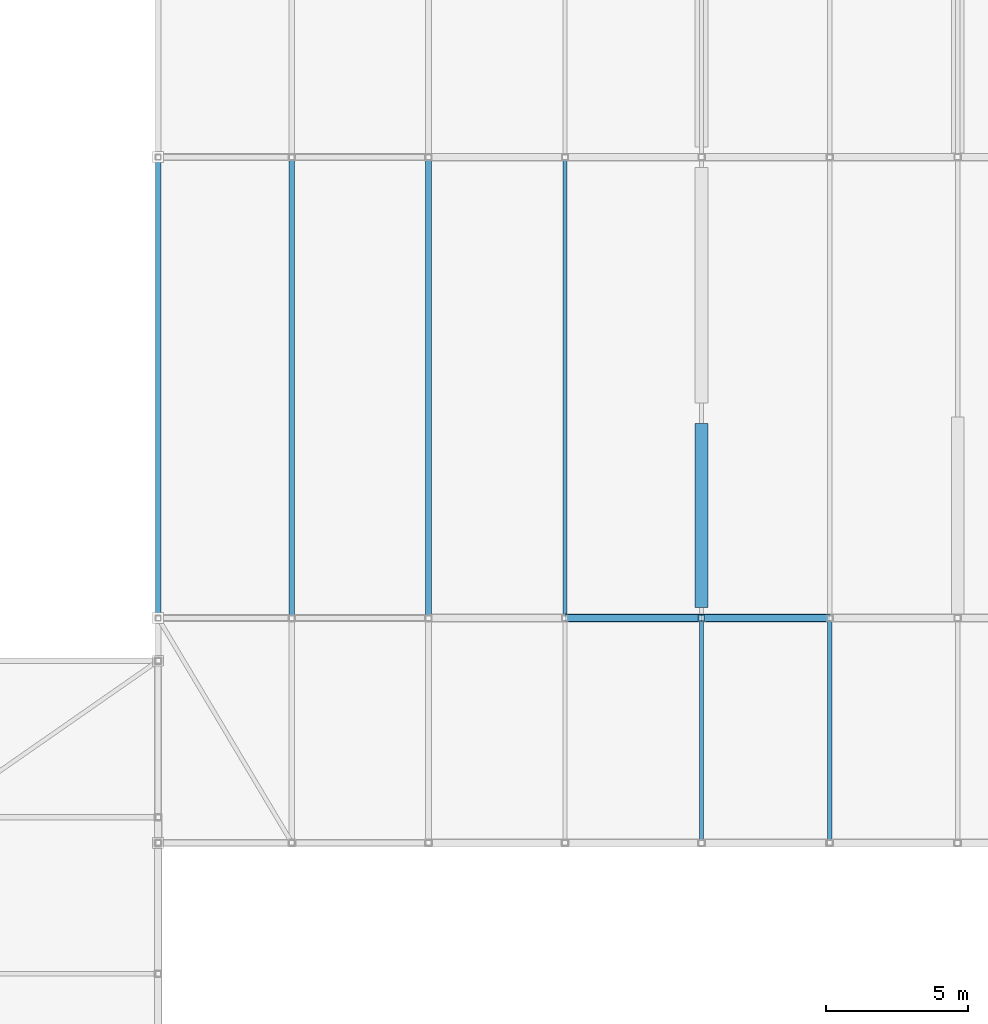
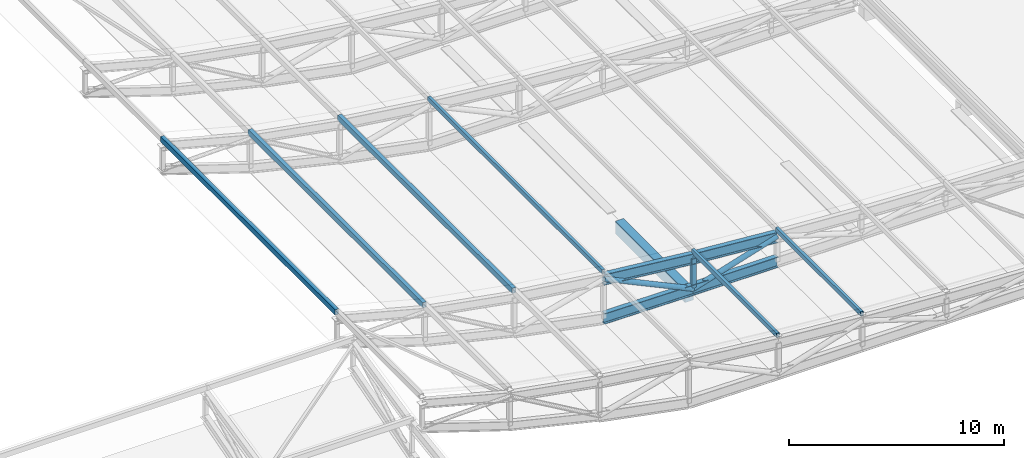
# One storey, part 49 of 114: 9 members, 5 beams.
"""IFC4 building model written with IfcOpenShell, lengths in metres."""

from ifc_helpers import new_model, si_unit, direction, frame, origin, origin_2d, place, context, subcontext, project, spatial, rectangle, hollow_rectangle, hollow_circle, i_section, extrude, material, material_profile, profile_set, type_object, element, save


model = new_model("IFC4")

# Units and contexts
model_context = context("Model", 3, precision=1e-05, world=origin(), true_north=direction((0.0, 1.0)))
body_context = subcontext(model_context, "Body", "Model", "MODEL_VIEW")
ifc_project = project(units=[si_unit("LENGTHUNIT", "METRE"), si_unit("AREAUNIT", "SQUARE_METRE"), si_unit("VOLUMEUNIT", "CUBIC_METRE"), si_unit("PLANEANGLEUNIT", "RADIAN"), si_unit("MASSUNIT", "GRAM", prefix="KILO"), si_unit("THERMODYNAMICTEMPERATUREUNIT", "KELVIN"), si_unit("POWERUNIT", "WATT")], contexts=[model_context])

# Site, building, storey
site_placement = place(None, origin())
site = spatial("IfcSite", under=ifc_project, at=site_placement, CompositionType="ELEMENT")
building_placement = place(site_placement, origin())
building = spatial("IfcBuilding", under=site, at=building_placement, Name="Sindhuravela Promenade Stadium", CompositionType="ELEMENT")
storey_placement = place(building_placement, frame((0.0, 0.0, 24.0)))
storey = spatial("IfcBuildingStorey", under=building, at=storey_placement, Name="L05", CompositionType="ELEMENT", Elevation=24.0)

# Beams
ifc_material_1 = material(Name="Concrete M40", Category="concrete")
ifc_material_profile_1 = material_profile(ifc_material_1, rectangle(XDim=0.449951171875, YDim=0.699951171875, at=origin_2d()), Name="RC 450x700")
ifc_profile_set_1 = profile_set([ifc_material_profile_1], Name="Concrete M40")
beam_type_1 = type_object("IfcBeamType", Name="RC-BM-450x700", PredefinedType="BEAM", material=ifc_profile_set_1)
beam_1_placement = place(storey_placement, frame((180.0, 45.364990234375, -0.594970703125), z_axis=(0.0, 1.0, 0.0), x_axis=(-1.0, 0.0, 0.0)))
element("IfcBeam", 1, at=beam_1_placement, inside=storey, type_object=beam_type_1, Name="Primary beam GB07 EAST L05", PredefinedType="BEAM", context=body_context, shape_type="SweptSolid", body=[
    extrude(rectangle(XDim=0.449951171875, YDim=0.699951171875, at=origin_2d()), origin(), (0.0, 0.0, 1.0), 6.469970703125),
])
ifc_material_2 = material(Name="Steel E350 (IS 2062 E350BR)", Category="steel")
ifc_material_profile_2 = material_profile(ifc_material_2, i_section(OverallWidth=0.25, OverallDepth=0.60009765625, WebThickness=0.01171875, FlangeThickness=0.023681640625, FilletRadius=0.01708984375, at=origin_2d()), Name="ISWB 600")
ifc_profile_set_2 = profile_set([ifc_material_profile_2], Name="Steel E350 (IS 2062 E350BR)")
beam_type_2 = type_object("IfcBeamType", Name="ST-BM-WB600", PredefinedType="USERDEFINED", material=ifc_profile_set_2)
beam_2_placement = place(storey_placement, frame((184.5, 45.0, 1.4013671875), z_axis=(-0.9968775679455489, 0.0, 0.07896274138457582), x_axis=(0.0, -1.0, 0.0)))
element("IfcBeam", 2, at=beam_2_placement, inside=storey, type_object=beam_type_2, Name="Roof truss RT-E02 top chord 4", ObjectType="ROOF TRUSS", PredefinedType="USERDEFINED", context=body_context, shape_type="SweptSolid", body=[
    extrude(i_section(OverallWidth=0.25, OverallDepth=0.60009765625, WebThickness=0.01171875, FlangeThickness=0.023681640625, FilletRadius=0.01708984375, at=origin_2d()), origin(), (0.0, 0.0, 1.0), 4.51416015625),
])
beam_3_placement = place(storey_placement, frame((184.5, 45.0, 0.0), z_axis=(-1.0, 0.0, 0.0), x_axis=(0.0, -1.0, 0.0)))
element("IfcBeam", 3, at=beam_3_placement, inside=storey, type_object=beam_type_2, Name="Roof truss RT-E02 bottom chord 4", ObjectType="ROOF TRUSS", PredefinedType="USERDEFINED", context=body_context, shape_type="SweptSolid", body=[
    extrude(i_section(OverallWidth=0.25, OverallDepth=0.60009765625, WebThickness=0.01171875, FlangeThickness=0.023681640625, FilletRadius=0.01708984375, at=origin_2d()), origin(), (0.0, 0.0, 1.0), 4.5),
])
beam_4_placement = place(storey_placement, frame((180.0, 45.0, 1.7578125), z_axis=(-0.9947943351162852, 0.0, 0.10190304617894301), x_axis=(0.0, -1.0, 0.0)))
element("IfcBeam", 4, at=beam_4_placement, inside=storey, type_object=beam_type_2, Name="Roof truss RT-E02 top chord 5", ObjectType="ROOF TRUSS", PredefinedType="USERDEFINED", context=body_context, shape_type="SweptSolid", body=[
    extrude(i_section(OverallWidth=0.25, OverallDepth=0.60009765625, WebThickness=0.01171875, FlangeThickness=0.023681640625, FilletRadius=0.01708984375, at=origin_2d()), origin(), (0.0, 0.0, 1.0), 4.8251953125),
])
beam_5_placement = place(storey_placement, frame((180.0, 45.0, 0.0), z_axis=(-0.9999778033758007, 0.0, 0.006662788883690041), x_axis=(0.0, -1.0, 0.0)))
element("IfcBeam", 5, at=beam_5_placement, inside=storey, type_object=beam_type_2, Name="Roof truss RT-E02 bottom chord 5", ObjectType="ROOF TRUSS", PredefinedType="USERDEFINED", context=body_context, shape_type="SweptSolid", body=[
    extrude(i_section(OverallWidth=0.25, OverallDepth=0.60009765625, WebThickness=0.01171875, FlangeThickness=0.023681640625, FilletRadius=0.01708984375, at=origin_2d()), origin(), (0.0, 0.0, 1.0), 4.800048828125),
])

# Members
ifc_material_profile_3 = material_profile(ifc_material_2, hollow_circle(Radius=0.136474609375, WallThickness=0.010009765625, at=origin_2d()), Name="CHS 273.0x10")
ifc_profile_set_3 = profile_set([ifc_material_profile_3], Name="Steel E350 (IS 2062 E350BR)")
member_type_1 = type_object("IfcMemberType", Name="ST-MB-CHS273", PredefinedType="BRACE", material=ifc_profile_set_3)
member_1_placement = place(storey_placement, frame((184.5, 45.0, 1.4013671875), z_axis=(-0.9547744570376746, 0.0, -0.2973310212346057), x_axis=(0.0, -1.0, 0.0)))
element("IfcMember", 6, at=member_1_placement, inside=storey, type_object=member_type_1, Name="Roof truss RT-E02 diagonal web 4", PredefinedType="BRACE", context=body_context, shape_type="SweptSolid", body=[
    extrude(hollow_circle(Radius=0.136474609375, WallThickness=0.010009765625, at=origin_2d()), origin(), (0.0, 0.0, 1.0), 4.713134765625),
])
member_2_placement = place(storey_placement, frame((180.0, 45.0, 0.0), z_axis=(-0.9054959907272458, 0.0, 0.4243548170775059), x_axis=(0.0, -1.0, 0.0)))
element("IfcMember", 7, at=member_2_placement, inside=storey, type_object=member_type_1, Name="Roof truss RT-E02 diagonal web 5", PredefinedType="BRACE", context=body_context, shape_type="SweptSolid", body=[
    extrude(hollow_circle(Radius=0.136474609375, WallThickness=0.010009765625, at=origin_2d()), origin(), (0.0, 0.0, 1.0), 5.301025390625),
])
ifc_material_profile_4 = material_profile(ifc_material_2, hollow_rectangle(XDim=0.14990234375, YDim=0.25, WallThickness=0.010009765625, at=origin_2d()), Name="RHS 250x150x10")
ifc_profile_set_4 = profile_set([ifc_material_profile_4], Name="Steel E350 (IS 2062 E350BR)")
member_type_2 = type_object("IfcMemberType", Name="ST-MB-RHS250", PredefinedType="PURLIN", material=ifc_profile_set_4)
for number, where, z_axis, x_axis, name in (
    (8, (184.5, 37.10009765625, 1.79345703125), (0.0, 1.0, 0.0), (-1.0, 0.0, 0.0), "Roof purlin PR01 E bay 1.4"),
    (9, (180.0, 37.10009765625, 2.14990234375), (0.0, 1.0, 0.0), (-1.0, 0.0, 0.0), "Roof purlin PR01 E bay 1.5"),
):
    element("IfcMember", number, at=place(storey_placement, frame(where, z_axis=z_axis, x_axis=x_axis)), inside=storey, type_object=member_type_2, Name=name, PredefinedType="PURLIN", context=body_context, shape_type="SweptSolid", body=[
        extrude(hollow_rectangle(XDim=0.14990234375, YDim=0.25, WallThickness=0.010009765625, at=origin_2d()), origin(), (0.0, 0.0, 1.0), 7.89990234375),
    ])
member_3_placement = place(storey_placement, frame((175.199951171875, 45.0, 2.641357421875), z_axis=(0.0, 1.0, 0.0), x_axis=(-1.0, 0.0, 0.0)))
element("IfcMember", 10, at=member_3_placement, inside=storey, type_object=member_type_2, Name="Roof purlin PR01 E bay 2.6", PredefinedType="PURLIN", context=body_context, shape_type="SweptSolid", body=[
    extrude(hollow_rectangle(XDim=0.14990234375, YDim=0.25, WallThickness=0.010009765625, at=origin_2d()), origin(), (0.0, 0.0, 1.0), 16.199951171875),
])
ifc_material_profile_5 = material_profile(ifc_material_2, hollow_rectangle(XDim=0.199951171875, YDim=0.300048828125, WallThickness=0.010009765625, at=origin_2d()), Name="RHS 300x200x10")
ifc_profile_set_5 = profile_set([ifc_material_profile_5], Name="Steel E350 (IS 2062 E350BR)")
member_type_3 = type_object("IfcMemberType", Name="ST-MB-RHS300", PredefinedType="PURLIN", material=ifc_profile_set_5)
for number, where, z_axis, x_axis, name in (
    (11, (170.39990234375, 45.0, 3.2568359375), (0.0, 1.0, 0.0), (-1.0, 0.0, 0.0), "Roof purlin PR02 E bay 2.7"),
    (12, (165.60009765625, 45.0, 4.117919921875), (0.0, 1.0, 0.0), (-1.0, 0.0, 0.0), "Roof purlin PR02 E bay 2.8"),
    (13, (160.89990234375, 45.0, 5.366943359375), (0.0, 1.0, 0.0), (-1.0, 0.0, 0.0), "Roof purlin PR02 E bay 2.9"),
):
    element("IfcMember", number, at=place(storey_placement, frame(where, z_axis=z_axis, x_axis=x_axis)), inside=storey, type_object=member_type_3, Name=name, PredefinedType="PURLIN", context=body_context, shape_type="SweptSolid", body=[
        extrude(hollow_rectangle(XDim=0.199951171875, YDim=0.300048828125, WallThickness=0.010009765625, at=origin_2d()), origin(), (0.0, 0.0, 1.0), 16.199951171875),
    ])
ifc_material_profile_6 = material_profile(ifc_material_2, hollow_rectangle(XDim=0.219970703125, YDim=0.219970703125, WallThickness=0.011962890625, at=origin_2d()), Name="SHS 220x220x12")
ifc_profile_set_6 = profile_set([ifc_material_profile_6], Name="Steel E350 (IS 2062 E350BR)")
member_type_4 = type_object("IfcMemberType", Name="ST-MB-SHS220", PredefinedType="POST", material=ifc_profile_set_6)
member_4_placement = place(storey_placement, frame((180.0, 45.0, 0.0), z_axis=(0.0, 0.0, 1.0), x_axis=(1.0, 0.0, 0.0)))
element("IfcMember", 14, at=member_4_placement, inside=storey, type_object=member_type_4, Name="Roof truss RT-E02 vertical post 5", PredefinedType="POST", context=body_context, shape_type="SweptSolid", body=[
    extrude(hollow_rectangle(XDim=0.219970703125, YDim=0.219970703125, WallThickness=0.011962890625, at=origin_2d()), origin(), (0.0, 0.0, 1.0), 1.7578125),
])

save(model, "model.ifc")
